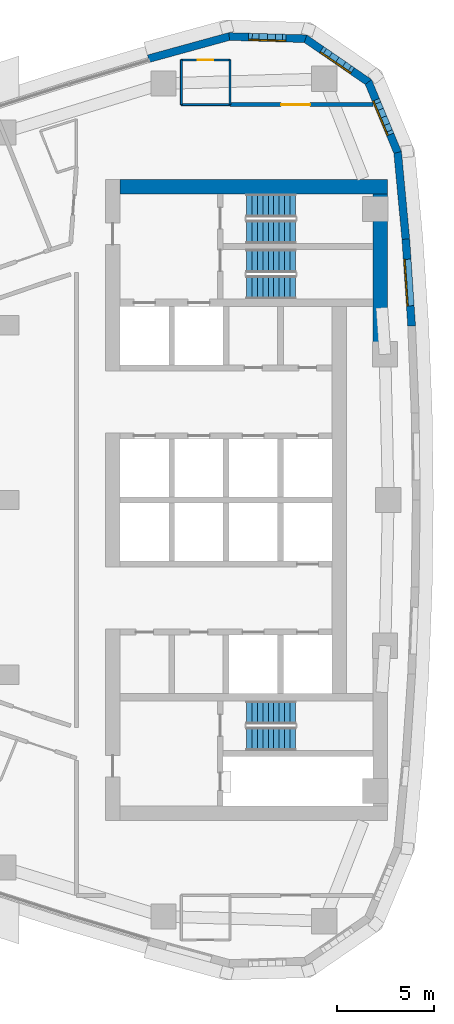
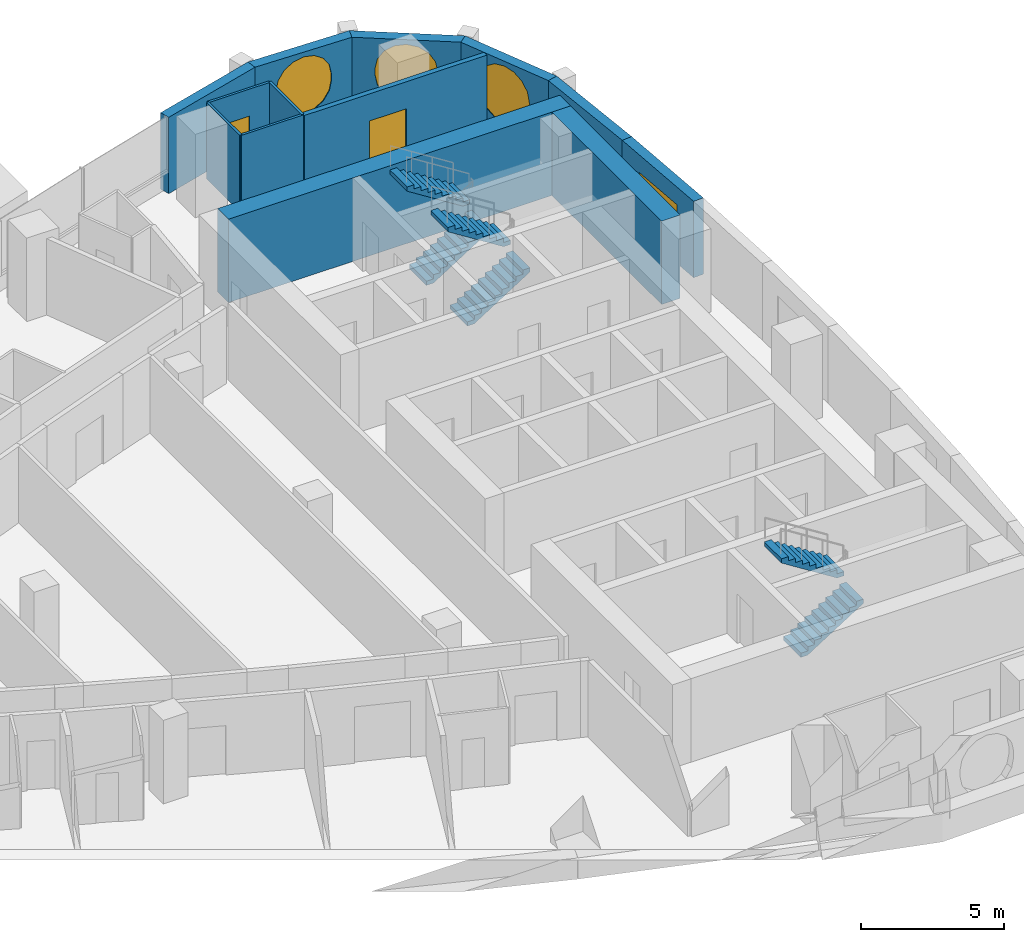
# One storey, part 13 of 17: 13 walls, 6 stair flights, 4 windows, 2 doors, 6 openings, 3 elements without a shape of their own.
"""IFC4 building model written with IfcOpenShell, lengths in metres."""

from ifc_helpers import new_model, si_unit, direction, frame, frame_2d, origin, place, context, subcontext, project, spatial, polyline, rectangle, outline, extrude, material, layer, layer_set, type_object, element, fill, aggregate, save


model = new_model("IFC4")

# Units and contexts
model_context = context("Model", 3, precision=1e-05, world=origin(), true_north=direction((0.0, 1.0)))
body_context = subcontext(model_context, "Body", "Model", "MODEL_VIEW")
ifc_project = project(units=[si_unit("LENGTHUNIT", "METRE"), si_unit("AREAUNIT", "SQUARE_METRE"), si_unit("VOLUMEUNIT", "CUBIC_METRE"), si_unit("PLANEANGLEUNIT", "RADIAN"), si_unit("MASSUNIT", "GRAM", prefix="KILO")], contexts=[model_context])

# Site, building, storey
site_placement = place(None, origin())
site = spatial("IfcSite", under=ifc_project, at=site_placement, CompositionType="ELEMENT")
building_placement = place(site_placement, origin())
building = spatial("IfcBuilding", under=site, at=building_placement, Name="Ostrand Prow Hotel Tower", CompositionType="ELEMENT")
storey_placement = place(building_placement, frame((0.0, 0.0, 200.35009765625)))
storey = spatial("IfcBuildingStorey", under=building, at=storey_placement, Name="L50", CompositionType="ELEMENT", Elevation=200.35009765625)

# Walls
ifc_material_1 = material(Name="Concrete C60/75", Category="concrete")
ifc_layer_1 = layer(ifc_material_1, 0.75)
ifc_layer_set_1 = layer_set([ifc_layer_1], Name="Concrete C60/75")
wall_type_1 = type_object("IfcWallType", Name="Core wall 750 C60/75", PredefinedType="SHEAR", material=ifc_layer_set_1)
wall_1_placement = place(storey_placement, frame((50.699951171875, 16.125, 0.0), z_axis=(0.0, 0.0, 1.0), x_axis=(1.0, 0.0, 0.0)))
element("IfcWall", 1, at=wall_1_placement, inside=storey, type_object=wall_type_1, Name="Core wall CW-N", PredefinedType="SHEAR", context=body_context, shape_type="SweptSolid", body=[
    extrude(rectangle(XDim=13.77001953125, YDim=0.75, at=frame_2d((6.885009765625, 0.0))), origin(), (0.0, 0.0, 1.0), 3.5498046875),
])
wall_2_placement = place(storey_placement, frame((64.094970703125, 8.09912109375, 0.0), z_axis=(0.0, 0.0, 1.0), x_axis=(0.0, 1.0, 0.0)))
element("IfcWall", 2, at=wall_2_placement, inside=storey, type_object=wall_type_1, Name="Core wall CW-E-N", PredefinedType="SHEAR", context=body_context, shape_type="SweptSolid", body=[
    extrude(rectangle(XDim=7.65087890625, YDim=0.75, at=frame_2d((3.825439453125, 0.0))), origin(), (0.0, 0.0, 1.0), 3.5498046875),
])

# Wall, opening, door
ifc_material_2 = material(Name="Plasterboard partition")
ifc_layer_2 = layer(ifc_material_2, 0.10009765625)
ifc_layer_set_2 = layer_set([ifc_layer_2], Name="Plasterboard partition")
wall_type_2 = type_object("IfcWallType", Name="Partition 100 bathroom wall", PredefinedType="PARTITIONING", material=ifc_layer_set_2)
wall_3_placement = place(storey_placement, frame((53.85009765625, 22.64990234375, 0.0), z_axis=(0.0, 0.0, 1.0), x_axis=(1.0, 0.0, 0.0)))
wall_3 = element("IfcWall", 3, at=wall_3_placement, inside=storey, type_object=wall_type_2, Name="BATHROOM WALL", PredefinedType="PARTITIONING", context=body_context, shape_type="SweptSolid", body=[
    extrude(rectangle(XDim=2.5, YDim=0.10009765625, at=frame_2d((1.25, 0.0))), origin(), (0.0, 0.0, 1.0), 3.25),
])
opening_1_placement = place(wall_3_placement, frame((0.85009765625, 0.0, 0.0)))
opening_1 = element("IfcOpeningElement", 4, at=opening_1_placement, cuts=wall_3, Name="Opening D2", PredefinedType="OPENING", context=body_context, shape_type="SweptSolid", body=[
    extrude(rectangle(XDim=0.800048828125, YDim=2.10009765625, at=frame_2d((0.39990234375, 1.050048828125))), frame((0.0, 0.06005859375, 0.0), z_axis=(0.0, -1.0, 0.0), x_axis=(1.0, 0.0, 0.0)), (0.0, 0.0, 1.0), 0.1201171875),
])
ifc_material_3 = material(Name="Timber door leaf", Category="wood")
door_type_1 = type_object("IfcDoorType", Name="Bathroom door 800", OperationType="SINGLE_SWING_LEFT", PredefinedType="DOOR", material=ifc_material_3)
door_1_placement = place(opening_1_placement, origin())
door_1 = element("IfcDoor", 5, at=door_1_placement, inside=storey, type_object=door_type_1, Name="DOOR", OperationType="SINGLE_SWING_LEFT", OverallHeight=2.10009765625, OverallWidth=0.800048828125, PredefinedType="DOOR", context=body_context, shape_type="SweptSolid", body=[
    extrude(rectangle(XDim=0.800048828125, YDim=2.10009765625, at=frame_2d((0.39990234375, 1.050048828125))), frame((0.0, 0.02490234375, 0.0), z_axis=(0.0, -1.0, 0.0), x_axis=(1.0, 0.0, 0.0)), (0.0, 0.0, 1.0), 0.050048828125),
])
fill(opening_1, door_1)

# Walls
for number, where, z_axis, x_axis, name in (
    (6, (56.35009765625, 22.64990234375, 0.0), (0.0, 0.0, 1.0), (0.0, -1.0, 0.0), "BATHROOM WALL"),
    (7, (53.85009765625, 20.35009765625, 0.0), (0.0, 0.0, 1.0), (0.0, 1.0, 0.0), "BATHROOM WALL"),
):
    element("IfcWall", number, at=place(storey_placement, frame(where, z_axis=z_axis, x_axis=x_axis)), inside=storey, type_object=wall_type_2, Name=name, PredefinedType="PARTITIONING", context=body_context, shape_type="SweptSolid", body=[
        extrude(rectangle(XDim=2.2998046875, YDim=0.10009765625, at=frame_2d((1.14990234375, 0.0))), origin(), (0.0, 0.0, 1.0), 3.25),
    ])
wall_4_placement = place(storey_placement, frame((56.35009765625, 20.35498046875, 0.0), z_axis=(0.0, 0.0, 1.0), x_axis=(-1.0, 0.0, 0.0)))
element("IfcWall", 8, at=wall_4_placement, inside=storey, type_object=wall_type_2, Name="BATHROOM WALL", PredefinedType="PARTITIONING", context=body_context, shape_type="SweptSolid", body=[
    extrude(rectangle(XDim=2.5, YDim=0.10009765625, at=frame_2d((1.25, 0.0))), origin(), (0.0, 0.0, 1.0), 3.25),
])

# Wall, opening, door
ifc_material_4 = material(Name="Plasterboard partition")
ifc_layer_3 = layer(ifc_material_4, 0.199951171875)
ifc_layer_set_3 = layer_set([ifc_layer_3], Name="Plasterboard partition")
wall_type_3 = type_object("IfcWallType", Name="Partition 200 corridor wall", PredefinedType="PARTITIONING", material=ifc_layer_set_3)
wall_5_placement = place(storey_placement, frame((63.70947265625, 20.35498046875, 0.0), z_axis=(0.0, 0.0, 1.0), x_axis=(-1.0, 0.0, 0.0)))
wall_5 = element("IfcWall", 9, at=wall_5_placement, inside=storey, type_object=wall_type_3, Name="CORRIDOR WALL", PredefinedType="PARTITIONING", context=body_context, shape_type="SweptSolid", body=[
    extrude(rectangle(XDim=7.3544921875, YDim=0.199951171875, at=frame_2d((3.67724609375, 0.0))), origin(), (0.0, 0.0, 1.0), 3.25),
])
opening_2_placement = place(wall_5_placement, frame((3.230712890625, 0.0, 0.0)))
opening_2 = element("IfcOpeningElement", 10, at=opening_2_placement, cuts=wall_5, Name="Opening D15", PredefinedType="OPENING", context=body_context, shape_type="SweptSolid", body=[
    extrude(rectangle(XDim=1.5, YDim=2.10009765625, at=frame_2d((0.75, 1.050048828125))), frame((0.0, 0.10986328125, 0.0), z_axis=(0.0, -1.0, 0.0), x_axis=(1.0, 0.0, 0.0)), (0.0, 0.0, 1.0), 0.219970703125),
])
ifc_material_5 = material(Name="Timber door leaf", Category="wood")
door_type_2 = type_object("IfcDoorType", Name="Double door 1500", OperationType="DOUBLE_DOOR_SINGLE_SWING", PredefinedType="DOOR", material=ifc_material_5)
door_2_placement = place(opening_2_placement, origin())
door_2 = element("IfcDoor", 11, at=door_2_placement, inside=storey, type_object=door_type_2, Name="DOOR", OperationType="DOUBLE_DOOR_SINGLE_SWING", OverallHeight=2.10009765625, OverallWidth=1.5, PredefinedType="DOOR", context=body_context, shape_type="SweptSolid", body=[
    extrude(rectangle(XDim=1.5, YDim=2.10009765625, at=frame_2d((0.75, 1.050048828125))), frame((0.0, 0.02490234375, 0.0), z_axis=(0.0, -1.0, 0.0), x_axis=(1.0, 0.0, 0.0)), (0.0, 0.0, 1.0), 0.050048828125),
])
fill(opening_2, door_2)

# Wall, opening, window
ifc_material_6 = material(Name="Precast concrete C40/50", Category="concrete")
ifc_layer_4 = layer(ifc_material_6, 0.39990234375)
ifc_layer_set_4 = layer_set([ifc_layer_4], Name="Precast concrete C40/50")
wall_type_4 = type_object("IfcWallType", Name="Stone-faced precast wall 400 mm", PredefinedType="NOTDEFINED", material=ifc_layer_set_4)
wall_6_placement = place(storey_placement, frame((65.700439453125, 8.957763671875, 0.0), z_axis=(0.0, 0.0, 1.0), x_axis=(-0.066905935948, 0.997759287471, 0.0)))
wall_6 = element("IfcWall", 12, at=wall_6_placement, inside=storey, type_object=wall_type_4, Name="Stone-faced wall back 11", PredefinedType="NOTDEFINED", context=body_context, shape_type="SweptSolid", body=[
    extrude(outline(polyline([(-0.002685546875, -0.199951171875), (4.483642578125, -0.199951171875), (4.478271484375, 0.199951171875), (0.002685546875, 0.199951171875), (-0.002685546875, -0.199951171875)])), origin(), (0.0, 0.0, 1.0), 3.25),
])
opening_3_placement = place(wall_6_placement, frame((1.040283203125, 0.0, 0.5)))
opening_3 = element("IfcOpeningElement", 13, at=opening_3_placement, cuts=wall_6, Name="Opening WA1", PredefinedType="OPENING", context=body_context, shape_type="SweptSolid", body=[
    extrude(rectangle(XDim=2.39990234375, YDim=2.0, at=frame_2d((1.199951171875, 1.0))), frame((0.0, 0.2099609375, 0.0), z_axis=(0.0, -1.0, 0.0), x_axis=(1.0, 0.0, 0.0)), (0.0, 0.0, 1.0), 0.419921875),
])
ifc_material_7 = material(Name="Insulated glass in bronze frame", Category="glass")
window_type_1 = type_object("IfcWindowType", Name="Amenity picture window 2400x2000", PartitioningType="SINGLE_PANEL", PredefinedType="WINDOW", material=ifc_material_7)
window_1_placement = place(opening_3_placement, origin())
window_1 = element("IfcWindow", 14, at=window_1_placement, inside=storey, type_object=window_type_1, Name="Window back 11.1", OverallHeight=2.0, OverallWidth=2.39990234375, PartitioningType="SINGLE_PANEL", PredefinedType="WINDOW", context=body_context, shape_type="SweptSolid", body=[
    extrude(rectangle(XDim=2.39990234375, YDim=2.0, at=frame_2d((1.199951171875, 1.0))), frame((0.0, 0.169921875, 0.0), z_axis=(0.0, -1.0, 0.0), x_axis=(1.0, 0.0, 0.0)), (0.0, 0.0, 1.0), 0.06005859375),
])
fill(opening_3, window_1)

# Wall
wall_7_placement = place(storey_placement, frame((65.400634765625, 13.4287109375, 0.0), z_axis=(0.0, 0.0, 1.0), x_axis=(-0.093605694738, 0.995609348044, 0.0)))
element("IfcWall", 15, at=wall_7_placement, inside=storey, type_object=wall_type_4, Name="Stone-faced wall back 12", PredefinedType="NOTDEFINED", context=body_context, shape_type="SweptSolid", body=[
    extrude(outline(polyline([(-0.002685546875, -0.199951171875), (4.51123046875, -0.199951171875), (4.45068359375, 0.199951171875), (0.002685546875, 0.199951171875), (-0.002685546875, -0.199951171875)])), origin(), (0.0, 0.0, 1.0), 3.25),
])

# Wall, opening, window
wall_8_placement = place(storey_placement, frame((64.981201171875, 17.889892578125, 0.0), z_axis=(0.0, 0.0, 1.0), x_axis=(-0.383997619794, 0.923334082547, 0.0)))
wall_8 = element("IfcWall", 16, at=wall_8_placement, inside=storey, type_object=wall_type_4, Name="Stone-faced wall back 13", PredefinedType="NOTDEFINED", context=body_context, shape_type="SweptSolid", body=[
    extrude(outline(polyline([(-0.0302734375, -0.199951171875), (3.98828125, -0.199951171875), (3.8701171875, 0.199951171875), (0.0302734375, 0.199951171875), (-0.0302734375, -0.199951171875)])), origin(), (0.0, 0.0, 1.0), 3.25),
])
opening_4_placement = place(wall_8_placement, frame((0.864501953125, 0.0, 0.60009765625)))
opening_4 = element("IfcOpeningElement", 17, at=opening_4_placement, cuts=wall_8, Name="Opening WP2", PredefinedType="OPENING", context=body_context, shape_type="SweptSolid", body=[
    extrude(outline(polyline([(0.0, 1.35009765625), (0.083740234375, 1.77099609375), (0.322265625, 2.127685546875), (0.678955078125, 2.3662109375), (1.10009765625, 2.449951171875), (1.52099609375, 2.3662109375), (1.877685546875, 2.127685546875), (2.1162109375, 1.77099609375), (2.199951171875, 1.35009765625), (2.199951171875, 1.10009765625), (2.1162109375, 0.678955078125), (1.877685546875, 0.322265625), (1.52099609375, 0.083740234375), (1.10009765625, 0.0), (0.678955078125, 0.083740234375), (0.322265625, 0.322265625), (0.083740234375, 0.678955078125), (0.0, 1.099853515625), (0.0, 1.35009765625)])), frame((0.0, 0.2099609375, 0.0), z_axis=(0.0, -1.0, 0.0), x_axis=(1.0, 0.0, 0.0)), (0.0, 0.0, 1.0), 0.419921875),
])
ifc_material_8 = material(Name="Insulated glass in bronze frame", Category="glass")
window_type_2 = type_object("IfcWindowType", Name="Round-ended prow lounge window 2200x2450", PartitioningType="SINGLE_PANEL", PredefinedType="WINDOW", material=ifc_material_8)
window_2_placement = place(opening_4_placement, origin())
window_2 = element("IfcWindow", 18, at=window_2_placement, inside=storey, type_object=window_type_2, Name="Window back 13.1", OverallHeight=2.449951171875, OverallWidth=2.199951171875, PartitioningType="SINGLE_PANEL", PredefinedType="WINDOW", context=body_context, shape_type="SweptSolid", body=[
    extrude(outline(polyline([(0.0, 1.35009765625), (0.083740234375, 1.77099609375), (0.322265625, 2.127685546875), (0.678955078125, 2.3662109375), (1.10009765625, 2.449951171875), (1.52099609375, 2.3662109375), (1.877685546875, 2.127685546875), (2.1162109375, 1.77099609375), (2.199951171875, 1.35009765625), (2.199951171875, 1.10009765625), (2.1162109375, 0.678955078125), (1.877685546875, 0.322265625), (1.52099609375, 0.083740234375), (1.10009765625, 0.0), (0.678955078125, 0.083740234375), (0.322265625, 0.322265625), (0.083740234375, 0.678955078125), (0.0, 1.099853515625), (0.0, 1.35009765625)])), frame((0.0, 0.169921875, 0.0), z_axis=(0.0, -1.0, 0.0), x_axis=(1.0, 0.0, 0.0)), (0.0, 0.0, 1.0), 0.06005859375),
])
fill(opening_4, window_2)

wall_9_placement = place(storey_placement, frame((63.472412109375, 21.517822265625, 0.0), z_axis=(0.0, 0.0, 1.0), x_axis=(-0.823806162588, 0.566871596115, 0.0)))
wall_9 = element("IfcWall", 19, at=wall_9_placement, inside=storey, type_object=wall_type_4, Name="Stone-faced wall back 14", PredefinedType="NOTDEFINED", context=body_context, shape_type="SweptSolid", body=[
    extrude(outline(polyline([(-0.05908203125, -0.199951171875), (3.98828125, -0.199951171875), (3.8701171875, 0.199951171875), (0.05908203125, 0.199951171875), (-0.05908203125, -0.199951171875)])), origin(), (0.0, 0.0, 1.0), 3.25),
])
opening_5_placement = place(wall_9_placement, frame((0.864501953125, 0.0, 0.60009765625)))
opening_5 = element("IfcOpeningElement", 20, at=opening_5_placement, cuts=wall_9, Name="Opening WP2", PredefinedType="OPENING", context=body_context, shape_type="SweptSolid", body=[
    extrude(outline(polyline([(0.0, 1.35009765625), (0.083740234375, 1.77099609375), (0.322265625, 2.127685546875), (0.678955078125, 2.3662109375), (1.10009765625, 2.449951171875), (1.52099609375, 2.3662109375), (1.877685546875, 2.127685546875), (2.1162109375, 1.77099609375), (2.199951171875, 1.35009765625), (2.199951171875, 1.10009765625), (2.1162109375, 0.678955078125), (1.877685546875, 0.322265625), (1.52099609375, 0.083740234375), (1.10009765625, 0.0), (0.678955078125, 0.083740234375), (0.322265625, 0.322265625), (0.083740234375, 0.678955078125), (0.0, 1.099853515625), (0.0, 1.35009765625)])), frame((0.0, 0.2099609375, 0.0), z_axis=(0.0, -1.0, 0.0), x_axis=(1.0, 0.0, 0.0)), (0.0, 0.0, 1.0), 0.419921875),
])
window_3_placement = place(opening_5_placement, origin())
window_3 = element("IfcWindow", 21, at=window_3_placement, inside=storey, type_object=window_type_2, Name="Window back 14.1", OverallHeight=2.449951171875, OverallWidth=2.199951171875, PartitioningType="SINGLE_PANEL", PredefinedType="WINDOW", context=body_context, shape_type="SweptSolid", body=[
    extrude(outline(polyline([(0.0, 1.35009765625), (0.083740234375, 1.77099609375), (0.322265625, 2.127685546875), (0.678955078125, 2.3662109375), (1.10009765625, 2.449951171875), (1.52099609375, 2.3662109375), (1.877685546875, 2.127685546875), (2.1162109375, 1.77099609375), (2.199951171875, 1.35009765625), (2.199951171875, 1.10009765625), (2.1162109375, 0.678955078125), (1.877685546875, 0.322265625), (1.52099609375, 0.083740234375), (1.10009765625, 0.0), (0.678955078125, 0.083740234375), (0.322265625, 0.322265625), (0.083740234375, 0.678955078125), (0.0, 1.099853515625), (0.0, 1.35009765625)])), frame((0.0, 0.169921875, 0.0), z_axis=(0.0, -1.0, 0.0), x_axis=(1.0, 0.0, 0.0)), (0.0, 0.0, 1.0), 0.06005859375),
])
fill(opening_5, window_3)

wall_10_placement = place(storey_placement, frame((60.235595703125, 23.7451171875, 0.0), z_axis=(0.0, 0.0, 1.0), x_axis=(-0.999587920197, 0.028705222472, 0.0)))
wall_10 = element("IfcWall", 22, at=wall_10_placement, inside=storey, type_object=wall_type_4, Name="Stone-faced wall back 15", PredefinedType="NOTDEFINED", context=body_context, shape_type="SweptSolid", body=[
    extrude(outline(polyline([(-0.05908203125, -0.199951171875), (3.959228515625, -0.199951171875), (3.899658203125, 0.199951171875), (0.05908203125, 0.199951171875), (-0.05908203125, -0.199951171875)])), origin(), (0.0, 0.0, 1.0), 3.25),
])
opening_6_placement = place(wall_10_placement, frame((0.864501953125, 0.0, 0.60009765625)))
opening_6 = element("IfcOpeningElement", 23, at=opening_6_placement, cuts=wall_10, Name="Opening WP2", PredefinedType="OPENING", context=body_context, shape_type="SweptSolid", body=[
    extrude(outline(polyline([(0.0, 1.35009765625), (0.083740234375, 1.77099609375), (0.322265625, 2.127685546875), (0.678955078125, 2.3662109375), (1.10009765625, 2.449951171875), (1.52099609375, 2.3662109375), (1.877685546875, 2.127685546875), (2.1162109375, 1.77099609375), (2.199951171875, 1.35009765625), (2.199951171875, 1.10009765625), (2.1162109375, 0.678955078125), (1.877685546875, 0.322265625), (1.52099609375, 0.083740234375), (1.10009765625, 0.0), (0.678955078125, 0.083740234375), (0.322265625, 0.322265625), (0.083740234375, 0.678955078125), (0.0, 1.099853515625), (0.0, 1.35009765625)])), frame((0.0, 0.2099609375, 0.0), z_axis=(0.0, -1.0, 0.0), x_axis=(1.0, 0.0, 0.0)), (0.0, 0.0, 1.0), 0.419921875),
])
window_4_placement = place(opening_6_placement, origin())
window_4 = element("IfcWindow", 24, at=window_4_placement, inside=storey, type_object=window_type_2, Name="Window back 15.1", OverallHeight=2.449951171875, OverallWidth=2.199951171875, PartitioningType="SINGLE_PANEL", PredefinedType="WINDOW", context=body_context, shape_type="SweptSolid", body=[
    extrude(outline(polyline([(0.0, 1.35009765625), (0.083740234375, 1.77099609375), (0.322265625, 2.127685546875), (0.678955078125, 2.3662109375), (1.10009765625, 2.449951171875), (1.52099609375, 2.3662109375), (1.877685546875, 2.127685546875), (2.1162109375, 1.77099609375), (2.199951171875, 1.35009765625), (2.199951171875, 1.10009765625), (2.1162109375, 0.678955078125), (1.877685546875, 0.322265625), (1.52099609375, 0.083740234375), (1.10009765625, 0.0), (0.678955078125, 0.083740234375), (0.322265625, 0.322265625), (0.083740234375, 0.678955078125), (0.0, 1.099853515625), (0.0, 1.35009765625)])), frame((0.0, 0.169921875, 0.0), z_axis=(0.0, -1.0, 0.0), x_axis=(1.0, 0.0, 0.0)), (0.0, 0.0, 1.0), 0.06005859375),
])
fill(opening_6, window_4)

# Wall
wall_11_placement = place(storey_placement, frame((56.307861328125, 23.85791015625, 0.0), z_axis=(0.0, 0.0, 1.0), x_axis=(-0.964205755089, -0.265155165617, 0.0)))
element("IfcWall", 25, at=wall_11_placement, inside=storey, type_object=wall_type_4, Name="Stone-faced wall back 16", PredefinedType="NOTDEFINED", context=body_context, shape_type="SweptSolid", body=[
    extrude(outline(polyline([(-0.02978515625, -0.199951171875), (4.30712890625, -0.199951171875), (4.30712890625, 0.199951171875), (0.02978515625, 0.199951171875), (-0.02978515625, -0.199951171875)])), origin(), (0.0, 0.0, 1.0), 3.25),
])

# Stair, stair flights
ifc_material_9 = material(Name="Concrete C40/50", Category="concrete")
stair_type = type_object("IfcStairType", Name="Exit stair 1200 upper zone", PredefinedType="HALF_TURN_STAIR", material=ifc_material_9)
stair_1_placement = place(storey_placement, origin())
stair_1 = element("IfcStair", 26, at=stair_1_placement, inside=storey, type_object=stair_type, Name="L50 ST1C", PredefinedType="HALF_TURN_STAIR")
ifc_material_10 = material(Name="Concrete C40/50", Category="concrete")
stair_flight_type = type_object("IfcStairFlightType", Name="Stair flight 1200 concrete", PredefinedType="STRAIGHT", material=ifc_material_10)
stair_flight_1_placement = place(storey_placement, frame((57.199951171875, 10.949951171875, 0.0), z_axis=(0.0, 0.0, 1.0), x_axis=(1.0, 0.0, 0.0)))
stair_flight_1 = element("IfcStairFlight", 27, at=stair_flight_1_placement, type_object=stair_flight_type, Name="ST1C flight 1", NumberOfRisers=10, NumberOfTreads=9, PredefinedType="STRAIGHT", RiserHeight=0.1775, TreadLength=0.28, context=body_context, shape_type="SweptSolid", body=[
    extrude(outline(polyline([(0.0, 0.0), (0.0, 0.177490234375), (0.280029296875, 0.177490234375), (0.280029296875, 0.35498046875), (0.56005859375, 0.35498046875), (0.56005859375, 0.532470703125), (0.840087890625, 0.532470703125), (0.840087890625, 0.7099609375), (1.1201171875, 0.7099609375), (1.1201171875, 0.887451171875), (1.39990234375, 0.887451171875), (1.39990234375, 1.06494140625), (1.679931640625, 1.06494140625), (1.679931640625, 1.242431640625), (1.9599609375, 1.242431640625), (1.9599609375, 1.419921875), (2.239990234375, 1.419921875), (2.239990234375, 1.597412109375), (2.52001953125, 1.597412109375), (2.52001953125, 1.77490234375), (2.52001953125, 1.419921875), (0.280029296875, 0.0), (0.0, 0.0)])), frame((0.0, 0.60009765625, 0.0), z_axis=(0.0, -1.0, 0.0), x_axis=(1.0, 0.0, 0.0)), (0.0, 0.0, 1.0), 1.199951171875),
])
stair_flight_2_placement = place(storey_placement, frame((59.719970703125, 12.300048828125, 1.77490234375), z_axis=(0.0, 0.0, 1.0), x_axis=(-1.0, 0.0, 0.0)))
stair_flight_2 = element("IfcStairFlight", 28, at=stair_flight_2_placement, type_object=stair_flight_type, Name="ST1C flight 2", NumberOfRisers=10, NumberOfTreads=9, PredefinedType="STRAIGHT", RiserHeight=0.1775, TreadLength=0.28, context=body_context, shape_type="SweptSolid", body=[
    extrude(outline(polyline([(0.0, 0.0), (0.0, 0.177490234375), (0.280029296875, 0.177490234375), (0.280029296875, 0.35498046875), (0.56005859375, 0.35498046875), (0.56005859375, 0.532470703125), (0.840087890625, 0.532470703125), (0.840087890625, 0.7099609375), (1.1201171875, 0.7099609375), (1.1201171875, 0.887451171875), (1.39990234375, 0.887451171875), (1.39990234375, 1.06494140625), (1.679931640625, 1.06494140625), (1.679931640625, 1.242431640625), (1.9599609375, 1.242431640625), (1.9599609375, 1.419921875), (2.239990234375, 1.419921875), (2.239990234375, 1.597412109375), (2.52001953125, 1.597412109375), (2.52001953125, 1.77490234375), (2.52001953125, 1.419921875), (0.280029296875, 0.0), (0.0, 0.0)])), frame((0.0, 0.60009765625, 0.0), z_axis=(0.0, -1.0, 0.0), x_axis=(1.0, 0.0, 0.0)), (0.0, 0.0, 1.0), 1.199951171875),
])
aggregate(stair_1, [stair_flight_1, stair_flight_2])

stair_2_placement = place(storey_placement, origin())
stair_2 = element("IfcStair", 29, at=stair_2_placement, inside=storey, type_object=stair_type, Name="L50 ST3C", PredefinedType="HALF_TURN_STAIR")
stair_flight_3_placement = place(storey_placement, frame((57.199951171875, 13.800048828125, 0.0), z_axis=(0.0, 0.0, 1.0), x_axis=(1.0, 0.0, 0.0)))
stair_flight_3 = element("IfcStairFlight", 30, at=stair_flight_3_placement, type_object=stair_flight_type, Name="ST3C flight 1", NumberOfRisers=10, NumberOfTreads=9, PredefinedType="STRAIGHT", RiserHeight=0.1775, TreadLength=0.28, context=body_context, shape_type="SweptSolid", body=[
    extrude(outline(polyline([(0.0, 0.0), (0.0, 0.177490234375), (0.280029296875, 0.177490234375), (0.280029296875, 0.35498046875), (0.56005859375, 0.35498046875), (0.56005859375, 0.532470703125), (0.840087890625, 0.532470703125), (0.840087890625, 0.7099609375), (1.1201171875, 0.7099609375), (1.1201171875, 0.887451171875), (1.39990234375, 0.887451171875), (1.39990234375, 1.06494140625), (1.679931640625, 1.06494140625), (1.679931640625, 1.242431640625), (1.9599609375, 1.242431640625), (1.9599609375, 1.419921875), (2.239990234375, 1.419921875), (2.239990234375, 1.597412109375), (2.52001953125, 1.597412109375), (2.52001953125, 1.77490234375), (2.52001953125, 1.419921875), (0.280029296875, 0.0), (0.0, 0.0)])), frame((0.0, 0.60009765625, 0.0), z_axis=(0.0, -1.0, 0.0), x_axis=(1.0, 0.0, 0.0)), (0.0, 0.0, 1.0), 1.199951171875),
])
stair_flight_4_placement = place(storey_placement, frame((59.719970703125, 15.14990234375, 1.77490234375), z_axis=(0.0, 0.0, 1.0), x_axis=(-1.0, 0.0, 0.0)))
stair_flight_4 = element("IfcStairFlight", 31, at=stair_flight_4_placement, type_object=stair_flight_type, Name="ST3C flight 2", NumberOfRisers=10, NumberOfTreads=9, PredefinedType="STRAIGHT", RiserHeight=0.1775, TreadLength=0.28, context=body_context, shape_type="SweptSolid", body=[
    extrude(outline(polyline([(0.0, 0.0), (0.0, 0.177490234375), (0.280029296875, 0.177490234375), (0.280029296875, 0.35498046875), (0.56005859375, 0.35498046875), (0.56005859375, 0.532470703125), (0.840087890625, 0.532470703125), (0.840087890625, 0.7099609375), (1.1201171875, 0.7099609375), (1.1201171875, 0.887451171875), (1.39990234375, 0.887451171875), (1.39990234375, 1.06494140625), (1.679931640625, 1.06494140625), (1.679931640625, 1.242431640625), (1.9599609375, 1.242431640625), (1.9599609375, 1.419921875), (2.239990234375, 1.419921875), (2.239990234375, 1.597412109375), (2.52001953125, 1.597412109375), (2.52001953125, 1.77490234375), (2.52001953125, 1.419921875), (0.280029296875, 0.0), (0.0, 0.0)])), frame((0.0, 0.60009765625, 0.0), z_axis=(0.0, -1.0, 0.0), x_axis=(1.0, 0.0, 0.0)), (0.0, 0.0, 1.0), 1.199951171875),
])
aggregate(stair_2, [stair_flight_3, stair_flight_4])

stair_3_placement = place(storey_placement, origin())
stair_3 = element("IfcStair", 32, at=stair_3_placement, inside=storey, type_object=stair_type, Name="L50 ST2C", PredefinedType="HALF_TURN_STAIR")
stair_flight_5_placement = place(storey_placement, frame((57.199951171875, -12.300048828125, 0.0), z_axis=(0.0, 0.0, 1.0), x_axis=(1.0, 0.0, 0.0)))
stair_flight_5 = element("IfcStairFlight", 33, at=stair_flight_5_placement, type_object=stair_flight_type, Name="ST2C flight 1", NumberOfRisers=10, NumberOfTreads=9, PredefinedType="STRAIGHT", RiserHeight=0.1775, TreadLength=0.28, context=body_context, shape_type="SweptSolid", body=[
    extrude(outline(polyline([(0.0, 0.0), (0.0, 0.177490234375), (0.280029296875, 0.177490234375), (0.280029296875, 0.35498046875), (0.56005859375, 0.35498046875), (0.56005859375, 0.532470703125), (0.840087890625, 0.532470703125), (0.840087890625, 0.7099609375), (1.1201171875, 0.7099609375), (1.1201171875, 0.887451171875), (1.39990234375, 0.887451171875), (1.39990234375, 1.06494140625), (1.679931640625, 1.06494140625), (1.679931640625, 1.242431640625), (1.9599609375, 1.242431640625), (1.9599609375, 1.419921875), (2.239990234375, 1.419921875), (2.239990234375, 1.597412109375), (2.52001953125, 1.597412109375), (2.52001953125, 1.77490234375), (2.52001953125, 1.419921875), (0.280029296875, 0.0), (0.0, 0.0)])), frame((0.0, 0.60009765625, 0.0), z_axis=(0.0, -1.0, 0.0), x_axis=(1.0, 0.0, 0.0)), (0.0, 0.0, 1.0), 1.199951171875),
])
stair_flight_6_placement = place(storey_placement, frame((59.719970703125, -10.949951171875, 1.77490234375), z_axis=(0.0, 0.0, 1.0), x_axis=(-1.0, 0.0, 0.0)))
stair_flight_6 = element("IfcStairFlight", 34, at=stair_flight_6_placement, type_object=stair_flight_type, Name="ST2C flight 2", NumberOfRisers=10, NumberOfTreads=9, PredefinedType="STRAIGHT", RiserHeight=0.1775, TreadLength=0.28, context=body_context, shape_type="SweptSolid", body=[
    extrude(outline(polyline([(0.0, 0.0), (0.0, 0.177490234375), (0.280029296875, 0.177490234375), (0.280029296875, 0.35498046875), (0.56005859375, 0.35498046875), (0.56005859375, 0.532470703125), (0.840087890625, 0.532470703125), (0.840087890625, 0.7099609375), (1.1201171875, 0.7099609375), (1.1201171875, 0.887451171875), (1.39990234375, 0.887451171875), (1.39990234375, 1.06494140625), (1.679931640625, 1.06494140625), (1.679931640625, 1.242431640625), (1.9599609375, 1.242431640625), (1.9599609375, 1.419921875), (2.239990234375, 1.419921875), (2.239990234375, 1.597412109375), (2.52001953125, 1.597412109375), (2.52001953125, 1.77490234375), (2.52001953125, 1.419921875), (0.280029296875, 0.0), (0.0, 0.0)])), frame((0.0, 0.60009765625, 0.0), z_axis=(0.0, -1.0, 0.0), x_axis=(1.0, 0.0, 0.0)), (0.0, 0.0, 1.0), 1.199951171875),
])
aggregate(stair_3, [stair_flight_5, stair_flight_6])

save(model, "model.ifc")
